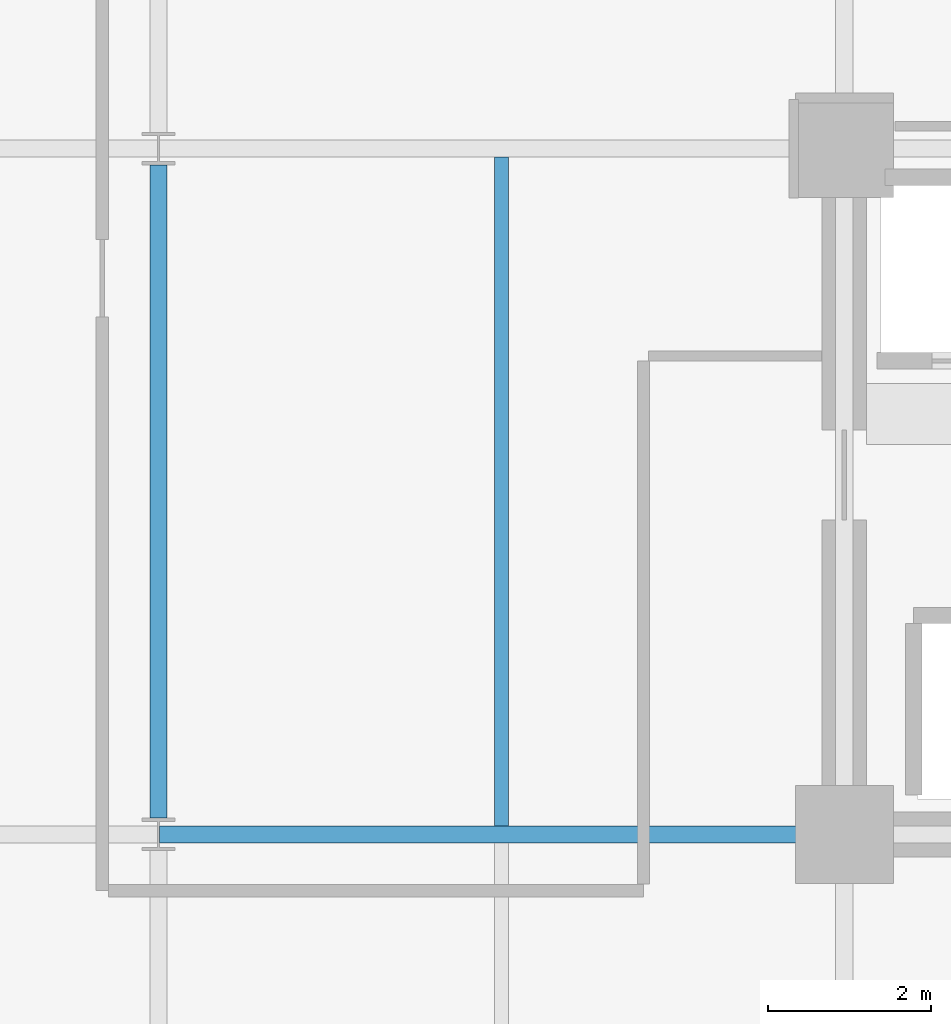
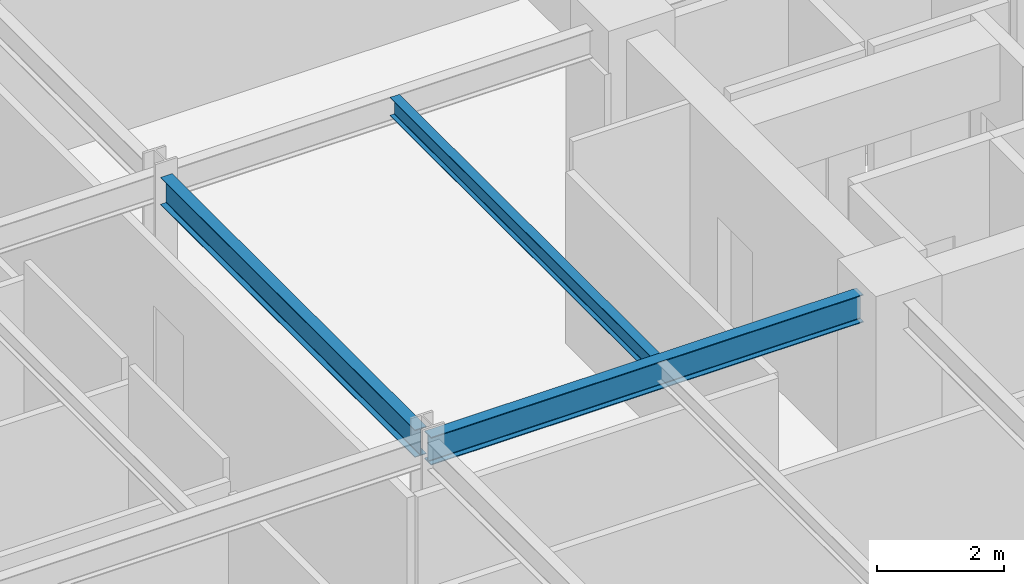
# One storey, part 5 of 29: 3 beams.
"""IFC4 building model written with IfcOpenShell, lengths in metres."""

from ifc_helpers import new_model, si_unit, direction, frame, origin, origin_2d, place, context, subcontext, project, spatial, i_section, extrude, material, material_profile, profile_set, type_object, element, save


model = new_model("IFC4")

# Units and contexts
model_context = context("Model", 3, precision=1e-05, world=origin(), true_north=direction((0.0, 1.0)))
body_context = subcontext(model_context, "Body", "Model", "MODEL_VIEW")
ifc_project = project(units=[si_unit("LENGTHUNIT", "METRE"), si_unit("AREAUNIT", "SQUARE_METRE"), si_unit("VOLUMEUNIT", "CUBIC_METRE"), si_unit("PLANEANGLEUNIT", "RADIAN"), si_unit("MASSUNIT", "GRAM", prefix="KILO")], contexts=[model_context])

# Site, building, storey
site_placement = place(None, origin())
site = spatial("IfcSite", under=ifc_project, at=site_placement, CompositionType="ELEMENT")
building_placement = place(site_placement, origin())
building = spatial("IfcBuilding", under=site, at=building_placement, Name="Nerrivon Quay Data Exchange", CompositionType="ELEMENT")
storey_placement = place(building_placement, frame((0.0, 0.0, 145.89990234375)))
storey = spatial("IfcBuildingStorey", under=building, at=storey_placement, Name="L34", CompositionType="ELEMENT", Elevation=145.89990234375)

# Beams
ifc_material = material(Name="Steel Grade 350", Category="steel")
ifc_material_profile_1 = material_profile(ifc_material, i_section(OverallWidth=0.208984375, OverallDepth=0.532958984375, WebThickness=0.01025390625, FlangeThickness=0.015625, FilletRadius=0.013916015625, at=origin_2d()), Name="530UB92.4")
ifc_profile_set_1 = profile_set([ifc_material_profile_1], Name="Steel Grade 350")
beam_type_1 = type_object("IfcBeamType", Name="BM-G3-530UB92", PredefinedType="BEAM", material=ifc_profile_set_1)
beam_1_placement = place(storey_placement, frame((8.41259765625, 8.39990234375, 3.55859375), z_axis=(1.0, 0.0, 0.0), x_axis=(0.0, 1.0, 0.0)))
element("IfcBeam", 1, at=beam_1_placement, inside=storey, type_object=beam_type_1, Name="L34 EW Girder Y=8.4 (8.4..16.8)", PredefinedType="BEAM", context=body_context, shape_type="SweptSolid", body=[
    extrude(i_section(OverallWidth=0.208984375, OverallDepth=0.532958984375, WebThickness=0.01025390625, FlangeThickness=0.015625, FilletRadius=0.013916015625, at=origin_2d()), origin(), (0.0, 0.0, 1.0), 7.847412109375),
])
ifc_material_profile_2 = material_profile(ifc_material, i_section(OverallWidth=0.208984375, OverallDepth=0.528076171875, WebThickness=0.009521484375, FlangeThickness=0.01318359375, FilletRadius=0.013916015625, at=origin_2d()), Name="530UB82.0")
ifc_profile_set_2 = profile_set([ifc_material_profile_2], Name="Steel Grade 350")
beam_type_2 = type_object("IfcBeamType", Name="BM-G4-530UB82", PredefinedType="BEAM", material=ifc_profile_set_2)
beam_2_placement = place(storey_placement, frame((8.39990234375, 8.60009765625, 3.56103515625), z_axis=(0.0, 1.0, 0.0), x_axis=(-1.0, 0.0, 0.0)))
element("IfcBeam", 2, at=beam_2_placement, inside=storey, type_object=beam_type_2, Name="L34 NS Girder X=8.4 (8.4..16.8)", PredefinedType="BEAM", context=body_context, shape_type="SweptSolid", body=[
    extrude(i_section(OverallWidth=0.208984375, OverallDepth=0.528076171875, WebThickness=0.009521484375, FlangeThickness=0.01318359375, FilletRadius=0.013916015625, at=origin_2d()), origin(), (0.0, 0.0, 1.0), 8.0),
])
ifc_material_profile_3 = material_profile(ifc_material, i_section(OverallWidth=0.1708984375, OverallDepth=0.35595703125, WebThickness=0.00732421875, FlangeThickness=0.011474609375, FilletRadius=0.011474609375, at=origin_2d()), Name="360UB50.7")
ifc_profile_set_3 = profile_set([ifc_material_profile_3], Name="Steel Grade 350")
beam_type_3 = type_object("IfcBeamType", Name="BM-J4-360UB51", PredefinedType="JOIST", material=ifc_profile_set_3)
beam_3_placement = place(storey_placement, frame((12.60009765625, 8.50439453125, 3.647216796875), z_axis=(0.0, 1.0, 0.0), x_axis=(-1.0, 0.0, 0.0)))
element("IfcBeam", 3, at=beam_3_placement, inside=storey, type_object=beam_type_3, Name="L34 Secondary Joist X=12.6 (8.4..16.8)", PredefinedType="JOIST", context=body_context, shape_type="SweptSolid", body=[
    extrude(i_section(OverallWidth=0.1708984375, OverallDepth=0.35595703125, WebThickness=0.00732421875, FlangeThickness=0.011474609375, FilletRadius=0.011474609375, at=origin_2d()), origin(), (0.0, 0.0, 1.0), 8.191162109375),
])

save(model, "model.ifc")
